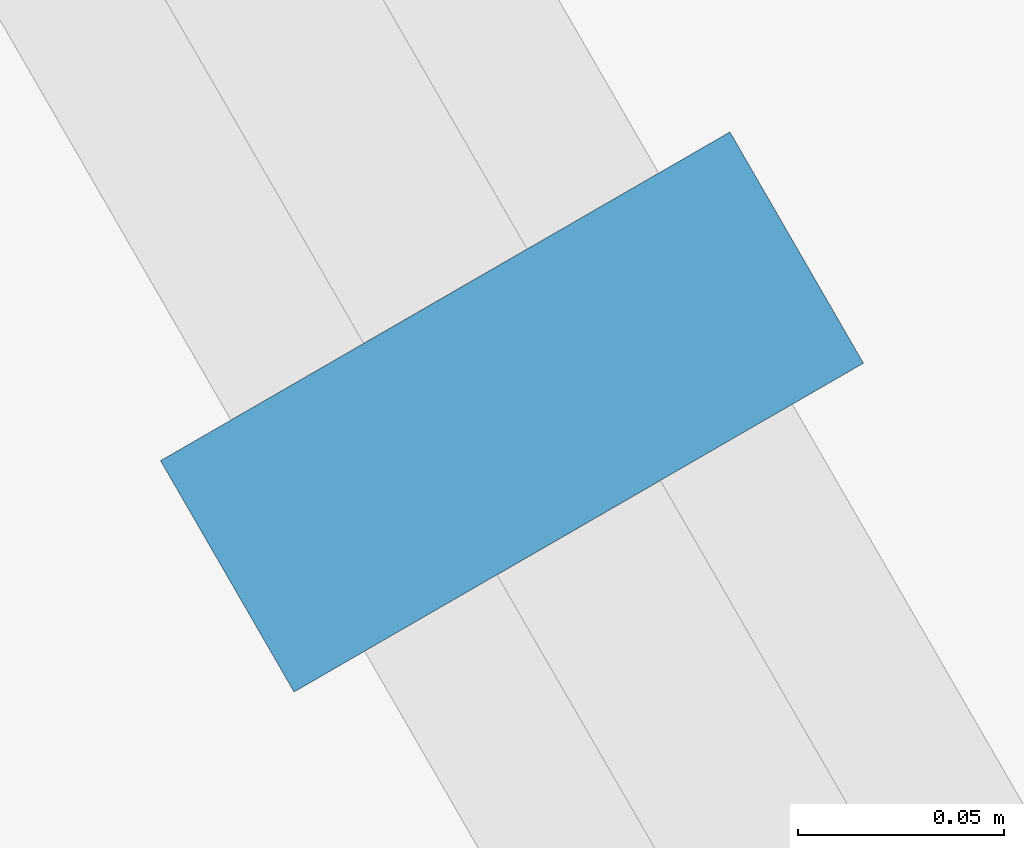
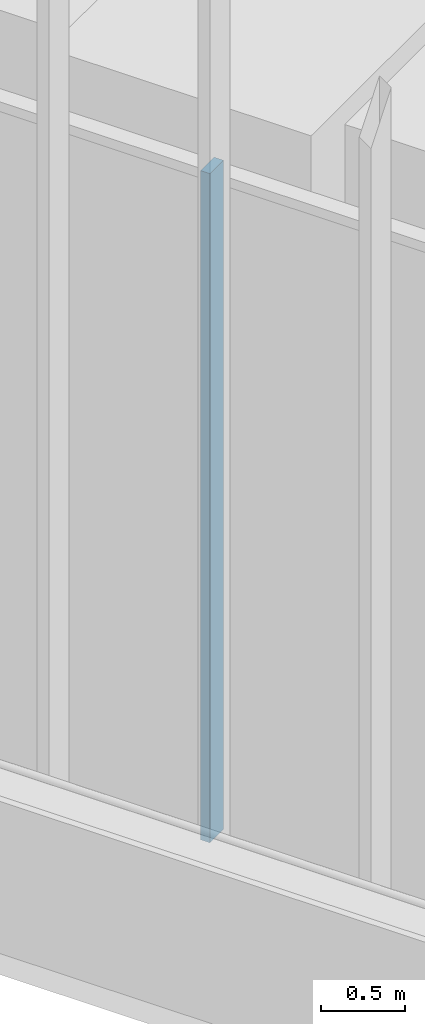
# One storey, part 3 of 228: 1 member, 1 element without a shape of its own.
"""IFC4 building model written with IfcOpenShell, lengths in metres."""

from ifc_helpers import new_model, si_unit, direction, frame, origin, origin_2d, place, context, subcontext, project, spatial, rectangle, extrude, material, material_profile, profile_set, type_object, element, aggregate, save


model = new_model("IFC4")

# Units and contexts
model_context = context("Model", 3, precision=1e-05, world=origin(), true_north=direction((0.0, 1.0)))
body_context = subcontext(model_context, "Body", "Model", "MODEL_VIEW")
ifc_project = project(units=[si_unit("LENGTHUNIT", "METRE"), si_unit("AREAUNIT", "SQUARE_METRE"), si_unit("VOLUMEUNIT", "CUBIC_METRE"), si_unit("PLANEANGLEUNIT", "RADIAN"), si_unit("MASSUNIT", "GRAM", prefix="KILO")], contexts=[model_context])

# Site, building, storey
site_placement = place(None, origin())
site = spatial("IfcSite", under=ifc_project, at=site_placement, CompositionType="ELEMENT")
building_placement = place(site_placement, origin())
building = spatial("IfcBuilding", under=site, at=building_placement, Name="Sandreach Pilgrim Tower", CompositionType="ELEMENT")
storey_placement = place(building_placement, frame((0.0, 0.0, 178.199951171875)))
storey = spatial("IfcBuildingStorey", under=building, at=storey_placement, Name="L44", CompositionType="ELEMENT", Elevation=178.199951171875)

# Curtain wall, member
ifc_material_1 = material(Name="Aluminium framed curtain wall", Category="aluminium")
curtain_wall_type = type_object("IfcCurtainWallType", Name="Upper hotel tower curtain wall", PredefinedType="NOTDEFINED", material=ifc_material_1)
curtain_wall_placement = place(storey_placement, origin())
curtain_wall = element("IfcCurtainWall", 1, at=curtain_wall_placement, inside=storey, type_object=curtain_wall_type, Name="CW-3 L44 SW", PredefinedType="NOTDEFINED")
ifc_material_2 = material(Name="Aluminium extrusion", Category="aluminium")
ifc_material_profile = material_profile(ifc_material_2, rectangle(XDim=0.06494140625, YDim=0.159912109375, at=origin_2d()), Name="CW-3M 65X160")
ifc_profile_set = profile_set([ifc_material_profile], Name="Aluminium extrusion")
member_type = type_object("IfcMemberType", Name="CW-3 mullion", PredefinedType="MULLION", material=ifc_profile_set)
member_placement = place(storey_placement, frame((-13.49462890625, -18.94677734375, 0.0), z_axis=(0.0, 0.0, 1.0), x_axis=(-0.5, 0.866025403784, 0.0)))
member = element("IfcMember", 2, at=member_placement, type_object=member_type, Name="CW-3 mullion 3", PredefinedType="MULLION", context=body_context, shape_type="SweptSolid", body=[
    extrude(rectangle(XDim=0.06494140625, YDim=0.159912109375, at=origin_2d()), origin(), (0.0, 0.0, 1.0), 4.840087890625),
])
aggregate(curtain_wall, [member])

save(model, "model.ifc")
